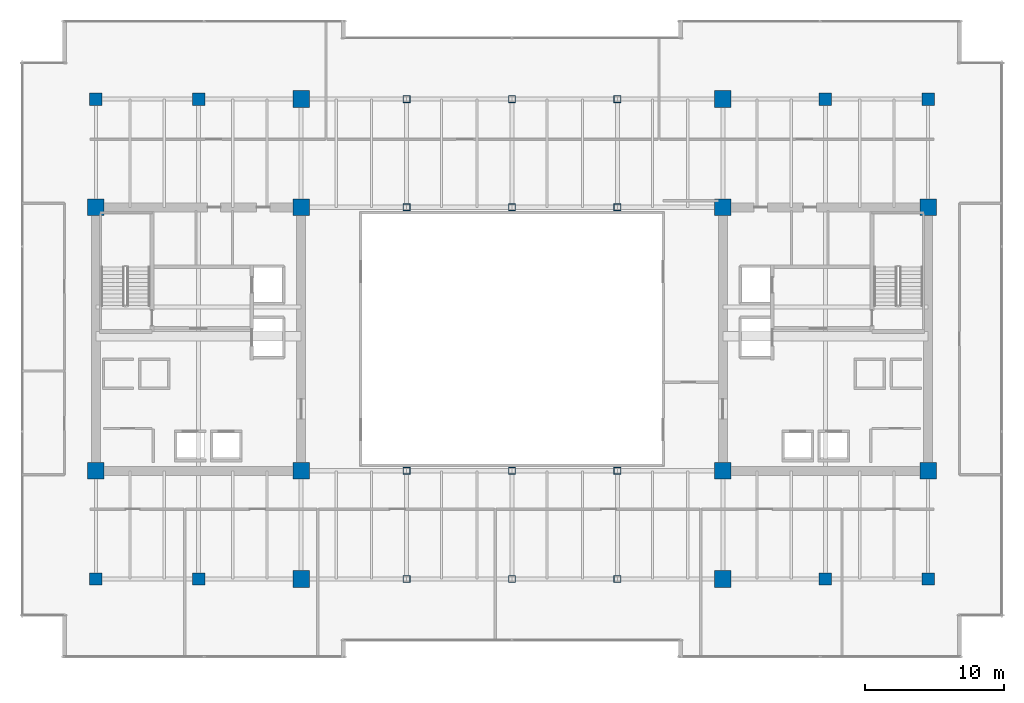
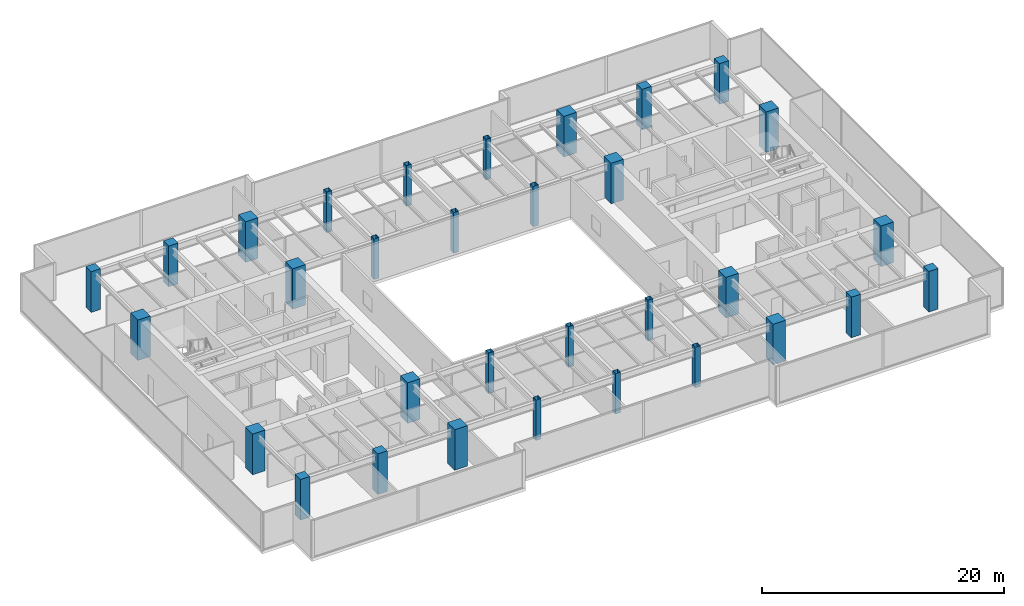
# One storey, part 1 of 30: 32 columns.
"""IFC4 building model written with IfcOpenShell, lengths in metres."""

from ifc_helpers import new_model, si_unit, direction, frame, origin, origin_2d, place, context, subcontext, project, spatial, rectangle, hollow_rectangle, extrude, source, transform, mapped, material, material_profile, profile_set, type_object, type_shapes, element, save


model = new_model("IFC4")

# Units and contexts
model_context = context("Model", 3, precision=1e-05, world=origin(), true_north=direction((0.0, 1.0)))
body_context = subcontext(model_context, "Body", "Model", "MODEL_VIEW")
ifc_project = project(units=[si_unit("LENGTHUNIT", "METRE"), si_unit("AREAUNIT", "SQUARE_METRE"), si_unit("VOLUMEUNIT", "CUBIC_METRE"), si_unit("PLANEANGLEUNIT", "RADIAN"), si_unit("MASSUNIT", "GRAM", prefix="KILO")], contexts=[model_context])

# Site, building, storey
site_placement = place(None, origin())
site = spatial("IfcSite", under=ifc_project, at=site_placement, CompositionType="ELEMENT")
building_placement = place(site_placement, origin())
building = spatial("IfcBuilding", under=site, at=building_placement, Name="Haelvirn Gate Laboratories", CompositionType="ELEMENT")
storey_placement = place(building_placement, frame((0.0, 0.0, 125.60009765625)))
storey = spatial("IfcBuildingStorey", under=building, at=storey_placement, Name="L30", CompositionType="ELEMENT", Elevation=125.60009765625)

# Columns
ifc_material_1 = material(Name="Concrete C50/60", Category="concrete")
ifc_material_profile_1 = material_profile(ifc_material_1, rectangle(XDim=0.89990234375, YDim=0.89990234375, at=origin_2d()), Name="RC-900x900")
ifc_profile_set_1 = profile_set([ifc_material_profile_1], Name="Concrete C50/60")
column_type_1 = type_object("IfcColumnType", Name="COL-RC-900", PredefinedType="COLUMN", material=ifc_profile_set_1)
shared_shape_1 = source(origin(), body_context, "Body", "SweptSolid", [
    extrude(rectangle(XDim=0.89990234375, YDim=0.89990234375, at=origin_2d()), origin(), (0.0, 0.0, 1.0), 4.099853515625),
])
type_shapes(column_type_1, [shared_shape_1])
for number, where, z_axis, x_axis, name in (
    (1, (14.800048828125, 7.0, 0.0), (0.0, 0.0, 1.0), (1.0, 0.0, 0.0), "L30 Column 3B"),
    (2, (14.800048828125, 41.60009765625, 0.0), (0.0, 0.0, 1.0), (1.0, 0.0, 0.0), "L30 Column 3G"),
    (3, (60.0, 7.0, 0.0), (0.0, 0.0, 1.0), (1.0, 0.0, 0.0), "L30 Column 9B"),
    (4, (60.0, 41.60009765625, 0.0), (0.0, 0.0, 1.0), (1.0, 0.0, 0.0), "L30 Column 9G"),
    (5, (7.39990234375, 7.0, 0.0), (0.0, 0.0, 1.0), (1.0, 0.0, 0.0), "L30 Column 2B"),
    (6, (7.39990234375, 41.60009765625, 0.0), (0.0, 0.0, 1.0), (1.0, 0.0, 0.0), "L30 Column 2G"),
    (7, (67.39990234375, 7.0, 0.0), (0.0, 0.0, 1.0), (1.0, 0.0, 0.0), "L30 Column 10B"),
    (8, (67.39990234375, 41.60009765625, 0.0), (0.0, 0.0, 1.0), (1.0, 0.0, 0.0), "L30 Column 10G"),
):
    element("IfcColumn", number, at=place(storey_placement, frame(where, z_axis=z_axis, x_axis=x_axis)), inside=storey, type_object=column_type_1, Name=name, PredefinedType="COLUMN", context=body_context, shape_type="MappedRepresentation", body=[
        mapped(shared_shape_1, transform((0.0, 0.0, 0.0), scale=1.0)),
    ])
ifc_material_2 = material(Name="Concrete C60/75", Category="concrete")
ifc_material_profile_2 = material_profile(ifc_material_2, rectangle(XDim=1.199951171875, YDim=1.199951171875, at=origin_2d()), Name="SRC-1200x1200")
ifc_profile_set_2 = profile_set([ifc_material_profile_2], Name="Concrete C60/75")
column_type_2 = type_object("IfcColumnType", Name="COL-SRC-1200", PredefinedType="COLUMN", material=ifc_profile_set_2)
shared_shape_2 = source(origin(), body_context, "Body", "SweptSolid", [
    extrude(rectangle(XDim=1.199951171875, YDim=1.199951171875, at=origin_2d()), origin(), (0.0, 0.0, 1.0), 4.099853515625),
])
type_shapes(column_type_2, [shared_shape_2])
for number, where, z_axis, x_axis, name in (
    (9, (22.199951171875, 7.0, 0.0), (0.0, 0.0, 1.0), (1.0, 0.0, 0.0), "L30 Column 4B"),
    (10, (7.39990234375, 14.800048828125, 0.0), (0.0, 0.0, 1.0), (1.0, 0.0, 0.0), "L30 Column 2C"),
    (11, (22.199951171875, 14.800048828125, 0.0), (0.0, 0.0, 1.0), (1.0, 0.0, 0.0), "L30 Column 4C"),
    (12, (7.39990234375, 33.800048828125, 0.0), (0.0, 0.0, 1.0), (1.0, 0.0, 0.0), "L30 Column 2F"),
    (13, (22.199951171875, 33.800048828125, 0.0), (0.0, 0.0, 1.0), (1.0, 0.0, 0.0), "L30 Column 4F"),
    (14, (22.199951171875, 41.60009765625, 0.0), (0.0, 0.0, 1.0), (1.0, 0.0, 0.0), "L30 Column 4G"),
    (15, (52.60009765625, 7.0, 0.0), (0.0, 0.0, 1.0), (1.0, 0.0, 0.0), "L30 Column 8B"),
    (16, (52.60009765625, 14.800048828125, 0.0), (0.0, 0.0, 1.0), (1.0, 0.0, 0.0), "L30 Column 8C"),
    (17, (67.39990234375, 14.800048828125, 0.0), (0.0, 0.0, 1.0), (1.0, 0.0, 0.0), "L30 Column 10C"),
    (18, (52.60009765625, 33.800048828125, 0.0), (0.0, 0.0, 1.0), (1.0, 0.0, 0.0), "L30 Column 8F"),
    (19, (67.39990234375, 33.800048828125, 0.0), (0.0, 0.0, 1.0), (1.0, 0.0, 0.0), "L30 Column 10F"),
    (20, (52.60009765625, 41.60009765625, 0.0), (0.0, 0.0, 1.0), (1.0, 0.0, 0.0), "L30 Column 8G"),
):
    element("IfcColumn", number, at=place(storey_placement, frame(where, z_axis=z_axis, x_axis=x_axis)), inside=storey, type_object=column_type_2, Name=name, PredefinedType="COLUMN", context=body_context, shape_type="MappedRepresentation", body=[
        mapped(shared_shape_2, transform((0.0, 0.0, 0.0), scale=1.0)),
    ])
ifc_material_3 = material(Name="Steel SM355", Category="steel")
ifc_material_profile_3 = material_profile(ifc_material_3, hollow_rectangle(XDim=0.5, YDim=0.5, WallThickness=0.02197265625, at=origin_2d()), Name="BOX-500x500x22")
ifc_profile_set_3 = profile_set([ifc_material_profile_3], Name="Steel SM355")
column_type_3 = type_object("IfcColumnType", Name="COL-BOX-500", PredefinedType="COLUMN", material=ifc_profile_set_3)
shared_shape_3 = source(origin(), body_context, "Body", "SweptSolid", [
    extrude(hollow_rectangle(XDim=0.5, YDim=0.5, WallThickness=0.02197265625, at=origin_2d()), origin(), (0.0, 0.0, 1.0), 4.099853515625),
])
type_shapes(column_type_3, [shared_shape_3])
for number, where, z_axis, x_axis, name in (
    (21, (29.800048828125, 7.0, 0.0), (0.0, 0.0, 1.0), (1.0, 0.0, 0.0), "L30 Column 5B"),
    (22, (29.800048828125, 14.800048828125, 0.0), (0.0, 0.0, 1.0), (1.0, 0.0, 0.0), "L30 Column 5C"),
    (23, (29.800048828125, 33.800048828125, 0.0), (0.0, 0.0, 1.0), (1.0, 0.0, 0.0), "L30 Column 5F"),
    (24, (29.800048828125, 41.60009765625, 0.0), (0.0, 0.0, 1.0), (1.0, 0.0, 0.0), "L30 Column 5G"),
    (25, (37.39990234375, 7.0, 0.0), (0.0, 0.0, 1.0), (1.0, 0.0, 0.0), "L30 Column 6B"),
    (26, (37.39990234375, 14.800048828125, 0.0), (0.0, 0.0, 1.0), (1.0, 0.0, 0.0), "L30 Column 6C"),
    (27, (37.39990234375, 33.800048828125, 0.0), (0.0, 0.0, 1.0), (1.0, 0.0, 0.0), "L30 Column 6F"),
    (28, (37.39990234375, 41.60009765625, 0.0), (0.0, 0.0, 1.0), (1.0, 0.0, 0.0), "L30 Column 6G"),
    (29, (45.0, 7.0, 0.0), (0.0, 0.0, 1.0), (1.0, 0.0, 0.0), "L30 Column 7B"),
    (30, (45.0, 14.800048828125, 0.0), (0.0, 0.0, 1.0), (1.0, 0.0, 0.0), "L30 Column 7C"),
    (31, (45.0, 33.800048828125, 0.0), (0.0, 0.0, 1.0), (1.0, 0.0, 0.0), "L30 Column 7F"),
    (32, (45.0, 41.60009765625, 0.0), (0.0, 0.0, 1.0), (1.0, 0.0, 0.0), "L30 Column 7G"),
):
    element("IfcColumn", number, at=place(storey_placement, frame(where, z_axis=z_axis, x_axis=x_axis)), inside=storey, type_object=column_type_3, Name=name, PredefinedType="COLUMN", context=body_context, shape_type="MappedRepresentation", body=[
        mapped(shared_shape_3, transform((0.0, 0.0, 0.0), scale=1.0)),
    ])

save(model, "model.ifc")
